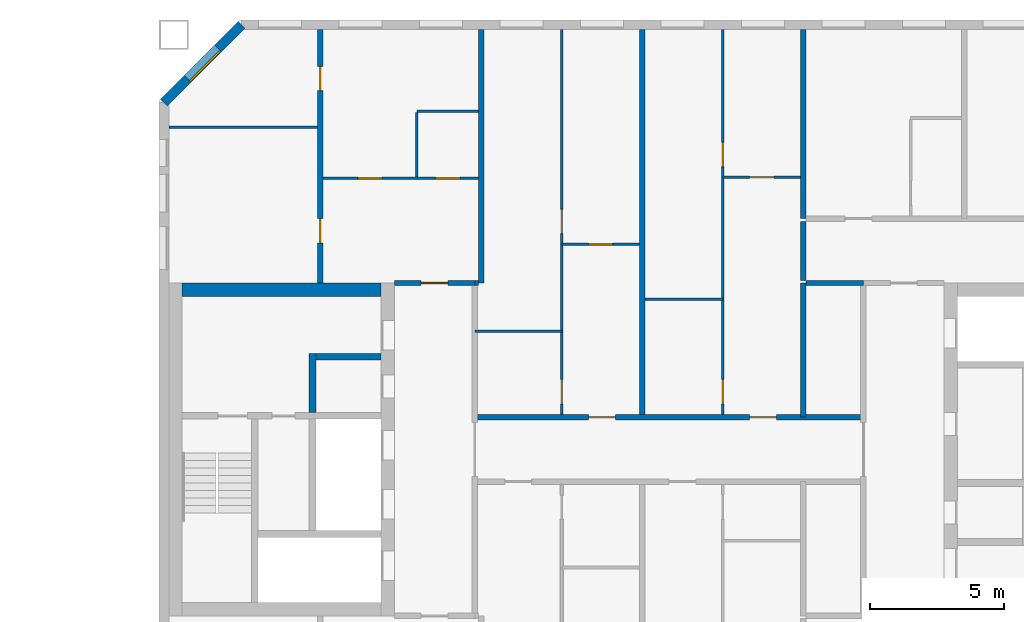
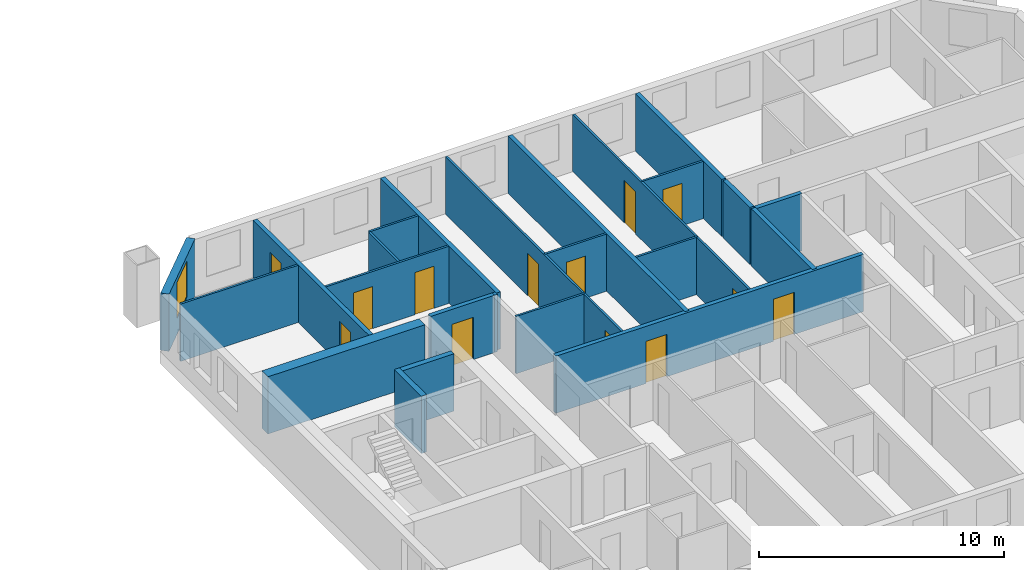
# One storey, part 10 of 15: 24 walls, 13 doors, 1 window, 14 openings.
"""IFC4 building model written with IfcOpenShell, lengths in metres."""

from ifc_helpers import new_model, si_unit, direction, frame, frame_2d, origin, place, context, subcontext, project, spatial, rectangle, extrude, material, layer, layer_set, type_object, element, fill, save


model = new_model("IFC4")

# Units and contexts
model_context = context("Model", 3, precision=1e-05, world=origin(), true_north=direction((0.0, 1.0)))
body_context = subcontext(model_context, "Body", "Model", "MODEL_VIEW")
ifc_project = project(units=[si_unit("LENGTHUNIT", "METRE"), si_unit("AREAUNIT", "SQUARE_METRE"), si_unit("VOLUMEUNIT", "CUBIC_METRE"), si_unit("PLANEANGLEUNIT", "RADIAN"), si_unit("MASSUNIT", "GRAM", prefix="KILO")], contexts=[model_context])

# Site, building, storey
site_placement = place(None, origin())
site = spatial("IfcSite", under=ifc_project, at=site_placement, CompositionType="ELEMENT")
building_placement = place(site_placement, origin())
building = spatial("IfcBuilding", under=site, at=building_placement, Name="Tuart Gate Housing", CompositionType="ELEMENT")
storey_placement = place(building_placement, frame((0.0, 0.0, 148.5)))
storey = spatial("IfcBuildingStorey", under=building, at=storey_placement, Name="L41", CompositionType="ELEMENT", Elevation=148.5)

# Wall, opening, window
ifc_material_1 = material(Name="Brick", Category="masonry")
ifc_layer_1 = layer(ifc_material_1, 0.360107421875)
ifc_layer_set_1 = layer_set([ifc_layer_1], Name="Brick pier and spandrel wall 360")
wall_type_1 = type_object("IfcWallType", Name="Brick pier and spandrel wall 360", PredefinedType="STANDARD", material=ifc_layer_set_1)
wall_1_placement = place(storey_placement, frame((134.07470703125, 85.820068359375, 0.0), z_axis=(0.0, 0.0, 1.0), x_axis=(-0.707106781187, -0.707106781187, 0.0)))
wall_1 = element("IfcWall", 1, at=wall_1_placement, inside=storey, type_object=wall_type_1, Name="External wall B-NW L41", PredefinedType="STANDARD", context=body_context, shape_type="SweptSolid", body=[
    extrude(rectangle(XDim=4.09375, YDim=0.360107421875, at=frame_2d((2.046875, 0.0))), origin(), (0.0, 0.0, 1.0), 2.85009765625),
])
opening_1_placement = place(wall_1_placement, frame((1.2470703125, 0.0, 0.800048828125)))
opening_1 = element("IfcOpeningElement", 2, at=opening_1_placement, cuts=wall_1, Name="Opening W1", PredefinedType="OPENING", context=body_context, shape_type="SweptSolid", body=[
    extrude(rectangle(XDim=1.60009765625, YDim=1.800048828125, at=frame_2d((0.800048828125, 0.89990234375))), frame((0.0, 0.18994140625, 0.0), z_axis=(0.0, -1.0, 0.0), x_axis=(1.0, 0.0, 0.0)), (0.0, 0.0, 1.0), 0.380126953125),
])
ifc_material_2 = material(Name="Aluminium frame with clear glass", Category="aluminium")
window_type = type_object("IfcWindowType", Name="Punched window 1600 x 1800", PartitioningType="SINGLE_PANEL", PredefinedType="WINDOW", material=ifc_material_2)
window_placement = place(opening_1_placement, origin())
window = element("IfcWindow", 3, at=window_placement, inside=storey, type_object=window_type, Name="Window W1", OverallHeight=1.800048828125, OverallWidth=1.60009765625, PartitioningType="SINGLE_PANEL", PredefinedType="WINDOW", context=body_context, shape_type="SweptSolid", body=[
    extrude(rectangle(XDim=1.60009765625, YDim=1.800048828125, at=frame_2d((0.800048828125, 0.89990234375))), frame((0.0, 0.150146484375, 0.0), z_axis=(0.0, -1.0, 0.0), x_axis=(1.0, 0.0, 0.0)), (0.0, 0.0, 1.0), 0.06005859375),
])
fill(opening_1, window)

# Walls
ifc_material_3 = material(Name="Concrete C40", Category="concrete")
ifc_layer_2 = layer(ifc_material_3, 0.25)
ifc_layer_set_2 = layer_set([ifc_layer_2], Name="Core wall 250 C40")
wall_type_2 = type_object("IfcWallType", Name="Core wall 250 C40", PredefinedType="SHEAR", material=ifc_layer_set_2)
wall_2_placement = place(storey_placement, frame((139.260009765625, 73.449951171875, 0.0), z_axis=(0.0, 0.0, 1.0), x_axis=(-1.0, 0.0, 0.0)))
element("IfcWall", 4, at=wall_2_placement, inside=storey, type_object=wall_type_2, Name="Core wall BG.3", PredefinedType="SHEAR", context=body_context, shape_type="SweptSolid", body=[
    extrude(rectangle(XDim=2.425048828125, YDim=0.25, at=frame_2d((1.21240234375, 0.0))), origin(), (0.0, 0.0, 1.0), 2.85009765625),
])
wall_3_placement = place(storey_placement, frame((136.7099609375, 71.375, 0.0), z_axis=(0.0, 0.0, 1.0), x_axis=(0.0, 1.0, 0.0)))
element("IfcWall", 5, at=wall_3_placement, inside=storey, type_object=wall_type_2, Name="Core wall BG.5", PredefinedType="SHEAR", context=body_context, shape_type="SweptSolid", body=[
    extrude(rectangle(XDim=2.199951171875, YDim=0.25, at=frame_2d((1.10009765625, 0.0))), origin(), (0.0, 0.0, 1.0), 2.85009765625),
])
ifc_material_4 = material(Name="Concrete C40", Category="concrete")
ifc_layer_3 = layer(ifc_material_4, 0.5)
ifc_layer_set_3 = layer_set([ifc_layer_3], Name="Core wall 500 C40")
wall_type_3 = type_object("IfcWallType", Name="Core wall 500 C40", PredefinedType="SHEAR", material=ifc_layer_set_3)
wall_4_placement = place(storey_placement, frame((139.260009765625, 75.949951171875, 0.0), z_axis=(0.0, 0.0, 1.0), x_axis=(-1.0, 0.0, 0.0)))
element("IfcWall", 6, at=wall_4_placement, inside=storey, type_object=wall_type_3, Name="Core wall BG north", PredefinedType="SHEAR", context=body_context, shape_type="SweptSolid", body=[
    extrude(rectangle(XDim=7.39990234375, YDim=0.5, at=frame_2d((3.699951171875, 0.0))), origin(), (0.0, 0.0, 1.0), 2.85009765625),
])

# Wall, openings, doors
ifc_material_5 = material(Name="Concrete masonry 15 MPa", Category="masonry")
ifc_layer_4 = layer(ifc_material_5, 0.199951171875)
ifc_layer_set_4 = layer_set([ifc_layer_4], Name="Corridor wall masonry 200")
wall_type_4 = type_object("IfcWallType", Name="Corridor wall masonry 200", PredefinedType="PARTITIONING", material=ifc_layer_set_4)
wall_5_placement = place(storey_placement, frame((142.760009765625, 71.199951171875, 0.0), z_axis=(0.0, 0.0, 1.0), x_axis=(1.0, 0.0, 0.0)))
wall_5 = element("IfcWall", 7, at=wall_5_placement, inside=storey, type_object=wall_type_4, Name="Corridor wall masonry 200", PredefinedType="PARTITIONING", context=body_context, shape_type="SweptSolid", body=[
    extrude(rectangle(XDim=14.47998046875, YDim=0.199951171875, at=frame_2d((7.239990234375, 0.0))), origin(), (0.0, 0.0, 1.0), 2.85009765625),
])
opening_2_placement = place(wall_5_placement, frame((4.239990234375, 0.0, 0.0)))
opening_2 = element("IfcOpeningElement", 8, at=opening_2_placement, cuts=wall_5, Name="Opening D1592", PredefinedType="OPENING", context=body_context, shape_type="SweptSolid", body=[
    extrude(rectangle(XDim=1.0, YDim=2.10009765625, at=frame_2d((0.5, 1.050048828125))), frame((0.0, 0.10986328125, 0.0), z_axis=(0.0, -1.0, 0.0), x_axis=(1.0, 0.0, 0.0)), (0.0, 0.0, 1.0), 0.219970703125),
])
opening_3_placement = place(wall_5_placement, frame((10.239990234375, 0.0, 0.0)))
opening_3 = element("IfcOpeningElement", 9, at=opening_3_placement, cuts=wall_5, Name="Opening D1593", PredefinedType="OPENING", context=body_context, shape_type="SweptSolid", body=[
    extrude(rectangle(XDim=1.0, YDim=2.10009765625, at=frame_2d((0.5, 1.050048828125))), frame((0.0, 0.10986328125, 0.0), z_axis=(0.0, -1.0, 0.0), x_axis=(1.0, 0.0, 0.0)), (0.0, 0.0, 1.0), 0.219970703125),
])
ifc_material_6 = material(Name="Timber door leaf in steel frame", Category="steel")
door_type_1 = type_object("IfcDoorType", Name="Flat entrance door 1000", OperationType="SINGLE_SWING_LEFT", PredefinedType="DOOR", material=ifc_material_6)
door_1_placement = place(opening_2_placement, origin())
door_1 = element("IfcDoor", 10, at=door_1_placement, inside=storey, type_object=door_type_1, Name="Flat entrance door", OperationType="SINGLE_SWING_LEFT", OverallHeight=2.10009765625, OverallWidth=1.0, PredefinedType="DOOR", context=body_context, shape_type="SweptSolid", body=[
    extrude(rectangle(XDim=1.0, YDim=2.10009765625, at=frame_2d((0.5, 1.050048828125))), frame((0.0, 0.02490234375, 0.0), z_axis=(0.0, -1.0, 0.0), x_axis=(1.0, 0.0, 0.0)), (0.0, 0.0, 1.0), 0.050048828125),
])
fill(opening_2, door_1)
door_2_placement = place(opening_3_placement, origin())
door_2 = element("IfcDoor", 11, at=door_2_placement, inside=storey, type_object=door_type_1, Name="Flat entrance door", OperationType="SINGLE_SWING_LEFT", OverallHeight=2.10009765625, OverallWidth=1.0, PredefinedType="DOOR", context=body_context, shape_type="SweptSolid", body=[
    extrude(rectangle(XDim=1.0, YDim=2.10009765625, at=frame_2d((0.5, 1.050048828125))), frame((0.0, 0.02490234375, 0.0), z_axis=(0.0, -1.0, 0.0), x_axis=(1.0, 0.0, 0.0)), (0.0, 0.0, 1.0), 0.050048828125),
])
fill(opening_3, door_2)

# Walls
wall_6_placement = place(storey_placement, frame((155.10009765625, 76.199951171875, 0.0), z_axis=(0.0, 0.0, 1.0), x_axis=(1.0, 0.0, 0.0)))
element("IfcWall", 12, at=wall_6_placement, inside=storey, type_object=wall_type_4, Name="Corridor wall masonry 200", PredefinedType="PARTITIONING", context=body_context, shape_type="SweptSolid", body=[
    extrude(rectangle(XDim=2.139892578125, YDim=0.199951171875, at=frame_2d((1.06982421875, 0.0))), origin(), (0.0, 0.0, 1.0), 2.85009765625),
])
wall_7_placement = place(storey_placement, frame((155.0, 76.300048828125, 0.0), z_axis=(0.0, 0.0, 1.0), x_axis=(0.0, 1.0, 0.0)))
element("IfcWall", 13, at=wall_7_placement, inside=storey, type_object=wall_type_4, Name="Corridor wall masonry 200", PredefinedType="PARTITIONING", context=body_context, shape_type="SweptSolid", body=[
    extrude(rectangle(XDim=2.199951171875, YDim=0.199951171875, at=frame_2d((1.10009765625, 0.0))), origin(), (0.0, 0.0, 1.0), 2.85009765625),
])

# Wall, opening, door
ifc_material_7 = material(Name="Concrete masonry 15 MPa", Category="masonry")
ifc_layer_5 = layer(ifc_material_7, 0.199951171875)
ifc_layer_set_5 = layer_set([ifc_layer_5], Name="Enclosure wall masonry 200")
wall_type_5 = type_object("IfcWallType", Name="Enclosure wall masonry 200", PredefinedType="PARTITIONING", material=ifc_layer_set_5)
wall_8_placement = place(storey_placement, frame((139.760009765625, 76.199951171875, 0.0), z_axis=(0.0, 0.0, 1.0), x_axis=(1.0, 0.0, 0.0)))
wall_8 = element("IfcWall", 14, at=wall_8_placement, inside=storey, type_object=wall_type_5, Name="Enclosure wall masonry 200", PredefinedType="PARTITIONING", context=body_context, shape_type="SweptSolid", body=[
    extrude(rectangle(XDim=3.0, YDim=0.199951171875, at=frame_2d((1.5, 0.0))), origin(), (0.0, 0.0, 1.0), 2.85009765625),
])
opening_4_placement = place(wall_8_placement, frame((1.0, 0.0, 0.0)))
opening_4 = element("IfcOpeningElement", 15, at=opening_4_placement, cuts=wall_8, Name="Opening D1588", PredefinedType="OPENING", context=body_context, shape_type="SweptSolid", body=[
    extrude(rectangle(XDim=1.0, YDim=2.10009765625, at=frame_2d((0.5, 1.050048828125))), frame((0.0, 0.10986328125, 0.0), z_axis=(0.0, -1.0, 0.0), x_axis=(1.0, 0.0, 0.0)), (0.0, 0.0, 1.0), 0.219970703125),
])
ifc_material_8 = material(Name="Timber door leaf in steel frame", Category="steel")
door_type_2 = type_object("IfcDoorType", Name="Flat entrance door 1000 RH", OperationType="SINGLE_SWING_RIGHT", PredefinedType="DOOR", material=ifc_material_8)
door_3_placement = place(opening_4_placement, origin())
door_3 = element("IfcDoor", 16, at=door_3_placement, inside=storey, type_object=door_type_2, Name="Flat entrance door", OperationType="SINGLE_SWING_RIGHT", OverallHeight=2.10009765625, OverallWidth=1.0, PredefinedType="DOOR", context=body_context, shape_type="SweptSolid", body=[
    extrude(rectangle(XDim=1.0, YDim=2.10009765625, at=frame_2d((0.5, 1.050048828125))), frame((0.0, 0.02490234375, 0.0), z_axis=(0.0, -1.0, 0.0), x_axis=(1.0, 0.0, 0.0)), (0.0, 0.0, 1.0), 0.050048828125),
])
fill(opening_4, door_3)

# Walls
ifc_material_9 = material(Name="Gypsum board on steel studs", Category="steel")
ifc_layer_6 = layer(ifc_material_9, 0.10009765625)
ifc_layer_set_6 = layer_set([ifc_layer_6], Name="Partition 100")
wall_type_6 = type_object("IfcWallType", Name="Partition 100", PredefinedType="PARTITIONING", material=ifc_layer_set_6)
wall_9_placement = place(storey_placement, frame((142.760009765625, 74.39990234375, 0.0), z_axis=(0.0, 0.0, 1.0), x_axis=(1.0, 0.0, 0.0)))
element("IfcWall", 17, at=wall_9_placement, inside=storey, type_object=wall_type_6, Name="Partition 100", PredefinedType="PARTITIONING", context=body_context, shape_type="SweptSolid", body=[
    extrude(rectangle(XDim=3.239990234375, YDim=0.10009765625, at=frame_2d((1.6201171875, 0.0))), origin(), (0.0, 0.0, 1.0), 2.85009765625),
])
wall_10_placement = place(storey_placement, frame((149.10009765625, 75.60009765625, 0.0), z_axis=(0.0, 0.0, 1.0), x_axis=(1.0, 0.0, 0.0)))
element("IfcWall", 18, at=wall_10_placement, inside=storey, type_object=wall_type_6, Name="Partition 100", PredefinedType="PARTITIONING", context=body_context, shape_type="SweptSolid", body=[
    extrude(rectangle(XDim=2.89990234375, YDim=0.10009765625, at=frame_2d((1.449951171875, 0.0))), origin(), (0.0, 0.0, 1.0), 2.85009765625),
])

# Wall, opening, door
wall_11_placement = place(storey_placement, frame((146.0, 77.639892578125, 0.0), z_axis=(0.0, 0.0, 1.0), x_axis=(1.0, 0.0, 0.0)))
wall_11 = element("IfcWall", 19, at=wall_11_placement, inside=storey, type_object=wall_type_6, Name="Partition 100", PredefinedType="PARTITIONING", context=body_context, shape_type="SweptSolid", body=[
    extrude(rectangle(XDim=2.89990234375, YDim=0.10009765625, at=frame_2d((1.449951171875, 0.0))), origin(), (0.0, 0.0, 1.0), 2.85009765625),
])
opening_5_placement = place(wall_11_placement, frame((1.0, 0.0, 0.0)))
opening_5 = element("IfcOpeningElement", 20, at=opening_5_placement, cuts=wall_11, Name="Opening D1587", PredefinedType="OPENING", context=body_context, shape_type="SweptSolid", body=[
    extrude(rectangle(XDim=0.89990234375, YDim=2.10009765625, at=frame_2d((0.449951171875, 1.050048828125))), frame((0.0, 0.06005859375, 0.0), z_axis=(0.0, -1.0, 0.0), x_axis=(1.0, 0.0, 0.0)), (0.0, 0.0, 1.0), 0.1201171875),
])
ifc_material_10 = material(Name="Timber door leaf in steel frame", Category="steel")
door_type_3 = type_object("IfcDoorType", Name="Internal door 900 RH", OperationType="SINGLE_SWING_RIGHT", PredefinedType="DOOR", material=ifc_material_10)
door_4_placement = place(opening_5_placement, frame((0.89990234375, 0.0, 0.0), z_axis=(0.0, 0.0, 1.0), x_axis=(-1.0, 0.0, 0.0)))
door_4 = element("IfcDoor", 21, at=door_4_placement, inside=storey, type_object=door_type_3, Name="Internal door", OperationType="SINGLE_SWING_RIGHT", OverallHeight=2.10009765625, OverallWidth=0.89990234375, PredefinedType="DOOR", context=body_context, shape_type="SweptSolid", body=[
    extrude(rectangle(XDim=0.89990234375, YDim=2.10009765625, at=frame_2d((0.449951171875, 1.050048828125))), frame((0.0, 0.025146484375, 0.0), z_axis=(0.0, -1.0, 0.0), x_axis=(1.0, 0.0, 0.0)), (0.0, 0.0, 1.0), 0.050048828125),
])
fill(opening_5, door_4)

# Wall, openings, doors
wall_12_placement = place(storey_placement, frame((137.10009765625, 80.10009765625, 0.0), z_axis=(0.0, 0.0, 1.0), x_axis=(1.0, 0.0, 0.0)))
wall_12 = element("IfcWall", 22, at=wall_12_placement, inside=storey, type_object=wall_type_6, Name="Partition 100", PredefinedType="PARTITIONING", context=body_context, shape_type="SweptSolid", body=[
    extrude(rectangle(XDim=5.7998046875, YDim=0.10009765625, at=frame_2d((2.89990234375, 0.0))), origin(), (0.0, 0.0, 1.0), 2.85009765625),
])
opening_6_placement = place(wall_12_placement, frame((1.300048828125, 0.0, 0.0)))
opening_6 = element("IfcOpeningElement", 23, at=opening_6_placement, cuts=wall_12, Name="Opening D1580", PredefinedType="OPENING", context=body_context, shape_type="SweptSolid", body=[
    extrude(rectangle(XDim=0.89990234375, YDim=2.10009765625, at=frame_2d((0.449951171875, 1.050048828125))), frame((0.0, 0.06005859375, 0.0), z_axis=(0.0, -1.0, 0.0), x_axis=(1.0, 0.0, 0.0)), (0.0, 0.0, 1.0), 0.1201171875),
])
opening_7_placement = place(wall_12_placement, frame((4.199951171875, 0.0, 0.0)))
opening_7 = element("IfcOpeningElement", 24, at=opening_7_placement, cuts=wall_12, Name="Opening D1579", PredefinedType="OPENING", context=body_context, shape_type="SweptSolid", body=[
    extrude(rectangle(XDim=0.89990234375, YDim=2.10009765625, at=frame_2d((0.449951171875, 1.050048828125))), frame((0.0, 0.06005859375, 0.0), z_axis=(0.0, -1.0, 0.0), x_axis=(1.0, 0.0, 0.0)), (0.0, 0.0, 1.0), 0.1201171875),
])
ifc_material_11 = material(Name="Timber door leaf in steel frame", Category="steel")
door_type_4 = type_object("IfcDoorType", Name="Bathroom door 900", OperationType="SINGLE_SWING_LEFT", PredefinedType="DOOR", material=ifc_material_11)
door_5_placement = place(opening_7_placement, origin())
door_5 = element("IfcDoor", 25, at=door_5_placement, inside=storey, type_object=door_type_4, Name="Bathroom door", OperationType="SINGLE_SWING_LEFT", OverallHeight=2.10009765625, OverallWidth=0.89990234375, PredefinedType="DOOR", context=body_context, shape_type="SweptSolid", body=[
    extrude(rectangle(XDim=0.89990234375, YDim=2.10009765625, at=frame_2d((0.449951171875, 1.050048828125))), frame((0.0, 0.02490234375, 0.0), z_axis=(0.0, -1.0, 0.0), x_axis=(1.0, 0.0, 0.0)), (0.0, 0.0, 1.0), 0.050048828125),
])
fill(opening_7, door_5)
door_6_placement = place(opening_6_placement, frame((0.89990234375, 0.0, 0.0), z_axis=(0.0, 0.0, 1.0), x_axis=(-1.0, 0.0, 0.0)))
door_6 = element("IfcDoor", 26, at=door_6_placement, inside=storey, type_object=door_type_3, Name="Internal door", OperationType="SINGLE_SWING_RIGHT", OverallHeight=2.10009765625, OverallWidth=0.89990234375, PredefinedType="DOOR", context=body_context, shape_type="SweptSolid", body=[
    extrude(rectangle(XDim=0.89990234375, YDim=2.10009765625, at=frame_2d((0.449951171875, 1.050048828125))), frame((0.0, 0.025146484375, 0.0), z_axis=(0.0, -1.0, 0.0), x_axis=(1.0, 0.0, 0.0)), (0.0, 0.0, 1.0), 0.050048828125),
])
fill(opening_6, door_6)

# Wall, opening, door
wall_13_placement = place(storey_placement, frame((152.0, 80.139892578125, 0.0), z_axis=(0.0, 0.0, 1.0), x_axis=(1.0, 0.0, 0.0)))
wall_13 = element("IfcWall", 27, at=wall_13_placement, inside=storey, type_object=wall_type_6, Name="Partition 100", PredefinedType="PARTITIONING", context=body_context, shape_type="SweptSolid", body=[
    extrude(rectangle(XDim=2.89990234375, YDim=0.10009765625, at=frame_2d((1.449951171875, 0.0))), origin(), (0.0, 0.0, 1.0), 2.85009765625),
])
opening_8_placement = place(wall_13_placement, frame((1.0, 0.0, 0.0)))
opening_8 = element("IfcOpeningElement", 28, at=opening_8_placement, cuts=wall_13, Name="Opening D1578", PredefinedType="OPENING", context=body_context, shape_type="SweptSolid", body=[
    extrude(rectangle(XDim=0.89990234375, YDim=2.10009765625, at=frame_2d((0.449951171875, 1.050048828125))), frame((0.0, 0.06005859375, 0.0), z_axis=(0.0, -1.0, 0.0), x_axis=(1.0, 0.0, 0.0)), (0.0, 0.0, 1.0), 0.1201171875),
])
door_7_placement = place(opening_8_placement, frame((0.89990234375, 0.0, 0.0), z_axis=(0.0, 0.0, 1.0), x_axis=(-1.0, 0.0, 0.0)))
door_7 = element("IfcDoor", 29, at=door_7_placement, inside=storey, type_object=door_type_3, Name="Internal door", OperationType="SINGLE_SWING_RIGHT", OverallHeight=2.10009765625, OverallWidth=0.89990234375, PredefinedType="DOOR", context=body_context, shape_type="SweptSolid", body=[
    extrude(rectangle(XDim=0.89990234375, YDim=2.10009765625, at=frame_2d((0.449951171875, 1.050048828125))), frame((0.0, 0.025146484375, 0.0), z_axis=(0.0, -1.0, 0.0), x_axis=(1.0, 0.0, 0.0)), (0.0, 0.0, 1.0), 0.050048828125),
])
fill(opening_8, door_7)

# Walls
wall_14_placement = place(storey_placement, frame((131.360107421875, 82.0, 0.0), z_axis=(0.0, 0.0, 1.0), x_axis=(1.0, 0.0, 0.0)))
element("IfcWall", 30, at=wall_14_placement, inside=storey, type_object=wall_type_6, Name="Partition 100", PredefinedType="PARTITIONING", context=body_context, shape_type="SweptSolid", body=[
    extrude(rectangle(XDim=5.539794921875, YDim=0.10009765625, at=frame_2d((2.77001953125, 0.0))), origin(), (0.0, 0.0, 1.0), 2.85009765625),
])
wall_15_placement = place(storey_placement, frame((140.60009765625, 82.60009765625, 0.0), z_axis=(0.0, 0.0, 1.0), x_axis=(1.0, 0.0, 0.0)))
element("IfcWall", 31, at=wall_15_placement, inside=storey, type_object=wall_type_6, Name="Partition 100", PredefinedType="PARTITIONING", context=body_context, shape_type="SweptSolid", body=[
    extrude(rectangle(XDim=2.2998046875, YDim=0.10009765625, at=frame_2d((1.14990234375, 0.0))), origin(), (0.0, 0.0, 1.0), 2.85009765625),
])
wall_16_placement = place(storey_placement, frame((140.60009765625, 80.14990234375, 0.0), z_axis=(0.0, 0.0, 1.0), x_axis=(0.0, 1.0, 0.0)))
element("IfcWall", 32, at=wall_16_placement, inside=storey, type_object=wall_type_6, Name="Partition 100", PredefinedType="PARTITIONING", context=body_context, shape_type="SweptSolid", body=[
    extrude(rectangle(XDim=2.400146484375, YDim=0.10009765625, at=frame_2d((1.2001953125, 0.0))), origin(), (0.0, 0.0, 1.0), 2.85009765625),
])

# Wall, openings, doors
wall_17_placement = place(storey_placement, frame((146.0, 71.300048828125, 0.0), z_axis=(0.0, 0.0, 1.0), x_axis=(0.0, 1.0, 0.0)))
wall_17 = element("IfcWall", 33, at=wall_17_placement, inside=storey, type_object=wall_type_6, Name="Partition 100", PredefinedType="PARTITIONING", context=body_context, shape_type="SweptSolid", body=[
    extrude(rectangle(XDim=14.33984375, YDim=0.10009765625, at=frame_2d((7.169921875, 0.0))), origin(), (0.0, 0.0, 1.0), 2.85009765625),
])
opening_9_placement = place(wall_17_placement, frame((6.739990234375, 0.0, 0.0)))
opening_9 = element("IfcOpeningElement", 34, at=opening_9_placement, cuts=wall_17, Name="Opening D1584", PredefinedType="OPENING", context=body_context, shape_type="SweptSolid", body=[
    extrude(rectangle(XDim=0.89990234375, YDim=2.10009765625, at=frame_2d((0.449951171875, 1.050048828125))), frame((0.0, 0.06005859375, 0.0), z_axis=(0.0, -1.0, 0.0), x_axis=(1.0, 0.0, 0.0)), (0.0, 0.0, 1.0), 0.1201171875),
])
opening_10_placement = place(wall_17_placement, frame((0.39990234375, 0.0, 0.0)))
opening_10 = element("IfcOpeningElement", 35, at=opening_10_placement, cuts=wall_17, Name="Opening D1583", PredefinedType="OPENING", context=body_context, shape_type="SweptSolid", body=[
    extrude(rectangle(XDim=0.89990234375, YDim=2.10009765625, at=frame_2d((0.449951171875, 1.050048828125))), frame((0.0, 0.06005859375, 0.0), z_axis=(0.0, -1.0, 0.0), x_axis=(1.0, 0.0, 0.0)), (0.0, 0.0, 1.0), 0.1201171875),
])
door_8_placement = place(opening_10_placement, origin())
door_8 = element("IfcDoor", 36, at=door_8_placement, inside=storey, type_object=door_type_4, Name="Bathroom door", OperationType="SINGLE_SWING_LEFT", OverallHeight=2.10009765625, OverallWidth=0.89990234375, PredefinedType="DOOR", context=body_context, shape_type="SweptSolid", body=[
    extrude(rectangle(XDim=0.89990234375, YDim=2.10009765625, at=frame_2d((0.449951171875, 1.050048828125))), frame((0.0, 0.02490234375, 0.0), z_axis=(0.0, -1.0, 0.0), x_axis=(1.0, 0.0, 0.0)), (0.0, 0.0, 1.0), 0.050048828125),
])
fill(opening_10, door_8)
ifc_material_12 = material(Name="Timber door leaf in steel frame", Category="steel")
door_type_5 = type_object("IfcDoorType", Name="Internal door 900", OperationType="SINGLE_SWING_LEFT", PredefinedType="DOOR", material=ifc_material_12)
door_9_placement = place(opening_9_placement, origin())
door_9 = element("IfcDoor", 37, at=door_9_placement, inside=storey, type_object=door_type_5, Name="Internal door", OperationType="SINGLE_SWING_LEFT", OverallHeight=2.10009765625, OverallWidth=0.89990234375, PredefinedType="DOOR", context=body_context, shape_type="SweptSolid", body=[
    extrude(rectangle(XDim=0.89990234375, YDim=2.10009765625, at=frame_2d((0.449951171875, 1.050048828125))), frame((0.0, 0.02490234375, 0.0), z_axis=(0.0, -1.0, 0.0), x_axis=(1.0, 0.0, 0.0)), (0.0, 0.0, 1.0), 0.050048828125),
])
fill(opening_9, door_9)

wall_18_placement = place(storey_placement, frame((152.0, 71.300048828125, 0.0), z_axis=(0.0, 0.0, 1.0), x_axis=(0.0, 1.0, 0.0)))
wall_18 = element("IfcWall", 38, at=wall_18_placement, inside=storey, type_object=wall_type_6, Name="Partition 100", PredefinedType="PARTITIONING", context=body_context, shape_type="SweptSolid", body=[
    extrude(rectangle(XDim=14.33984375, YDim=0.10009765625, at=frame_2d((7.169921875, 0.0))), origin(), (0.0, 0.0, 1.0), 2.85009765625),
])
opening_11_placement = place(wall_18_placement, frame((9.239990234375, 0.0, 0.0)))
opening_11 = element("IfcOpeningElement", 39, at=opening_11_placement, cuts=wall_18, Name="Opening D1586", PredefinedType="OPENING", context=body_context, shape_type="SweptSolid", body=[
    extrude(rectangle(XDim=0.89990234375, YDim=2.10009765625, at=frame_2d((0.449951171875, 1.050048828125))), frame((0.0, 0.06005859375, 0.0), z_axis=(0.0, -1.0, 0.0), x_axis=(1.0, 0.0, 0.0)), (0.0, 0.0, 1.0), 0.1201171875),
])
opening_12_placement = place(wall_18_placement, frame((0.39990234375, 0.0, 0.0)))
opening_12 = element("IfcOpeningElement", 40, at=opening_12_placement, cuts=wall_18, Name="Opening D1585", PredefinedType="OPENING", context=body_context, shape_type="SweptSolid", body=[
    extrude(rectangle(XDim=0.89990234375, YDim=2.10009765625, at=frame_2d((0.449951171875, 1.050048828125))), frame((0.0, 0.06005859375, 0.0), z_axis=(0.0, -1.0, 0.0), x_axis=(1.0, 0.0, 0.0)), (0.0, 0.0, 1.0), 0.1201171875),
])
door_10_placement = place(opening_12_placement, origin())
door_10 = element("IfcDoor", 41, at=door_10_placement, inside=storey, type_object=door_type_4, Name="Bathroom door", OperationType="SINGLE_SWING_LEFT", OverallHeight=2.10009765625, OverallWidth=0.89990234375, PredefinedType="DOOR", context=body_context, shape_type="SweptSolid", body=[
    extrude(rectangle(XDim=0.89990234375, YDim=2.10009765625, at=frame_2d((0.449951171875, 1.050048828125))), frame((0.0, 0.02490234375, 0.0), z_axis=(0.0, -1.0, 0.0), x_axis=(1.0, 0.0, 0.0)), (0.0, 0.0, 1.0), 0.050048828125),
])
fill(opening_12, door_10)
door_11_placement = place(opening_11_placement, origin())
door_11 = element("IfcDoor", 42, at=door_11_placement, inside=storey, type_object=door_type_3, Name="Internal door", OperationType="SINGLE_SWING_RIGHT", OverallHeight=2.10009765625, OverallWidth=0.89990234375, PredefinedType="DOOR", context=body_context, shape_type="SweptSolid", body=[
    extrude(rectangle(XDim=0.89990234375, YDim=2.10009765625, at=frame_2d((0.449951171875, 1.050048828125))), frame((0.0, 0.02490234375, 0.0), z_axis=(0.0, -1.0, 0.0), x_axis=(1.0, 0.0, 0.0)), (0.0, 0.0, 1.0), 0.050048828125),
])
fill(opening_11, door_11)

ifc_material_13 = material(Name="Concrete C40", Category="concrete")
ifc_layer_7 = layer(ifc_material_13, 0.199951171875)
ifc_layer_set_7 = layer_set([ifc_layer_7], Name="Party wall concrete C40 200")
wall_type_7 = type_object("IfcWallType", Name="Party wall concrete C40 200", PredefinedType="SOLIDWALL", material=ifc_layer_set_7)
wall_19_placement = place(storey_placement, frame((137.0, 76.199951171875, 0.0), z_axis=(0.0, 0.0, 1.0), x_axis=(0.0, 1.0, 0.0)))
wall_19 = element("IfcWall", 43, at=wall_19_placement, inside=storey, type_object=wall_type_7, Name="Party wall concrete C40 200", PredefinedType="SOLIDWALL", context=body_context, shape_type="SweptSolid", body=[
    extrude(rectangle(XDim=9.43994140625, YDim=0.199951171875, at=frame_2d((4.719970703125, 0.0))), origin(), (0.0, 0.0, 1.0), 2.85009765625),
])
opening_13_placement = place(wall_19_placement, frame((7.169921875, 0.0, 0.0)))
opening_13 = element("IfcOpeningElement", 44, at=opening_13_placement, cuts=wall_19, Name="Opening D1575", PredefinedType="OPENING", context=body_context, shape_type="SweptSolid", body=[
    extrude(rectangle(XDim=0.89990234375, YDim=2.10009765625, at=frame_2d((0.449951171875, 1.050048828125))), frame((0.0, 0.10986328125, 0.0), z_axis=(0.0, -1.0, 0.0), x_axis=(1.0, 0.0, 0.0)), (0.0, 0.0, 1.0), 0.219970703125),
])
opening_14_placement = place(wall_19_placement, frame((1.5, 0.0, 0.0)))
opening_14 = element("IfcOpeningElement", 45, at=opening_14_placement, cuts=wall_19, Name="Opening D1576", PredefinedType="OPENING", context=body_context, shape_type="SweptSolid", body=[
    extrude(rectangle(XDim=0.89990234375, YDim=2.10009765625, at=frame_2d((0.449951171875, 1.050048828125))), frame((0.0, 0.10986328125, 0.0), z_axis=(0.0, -1.0, 0.0), x_axis=(1.0, 0.0, 0.0)), (0.0, 0.0, 1.0), 0.219970703125),
])
door_12_placement = place(opening_13_placement, origin())
door_12 = element("IfcDoor", 46, at=door_12_placement, inside=storey, type_object=door_type_5, Name="Internal door", OperationType="SINGLE_SWING_LEFT", OverallHeight=2.10009765625, OverallWidth=0.89990234375, PredefinedType="DOOR", context=body_context, shape_type="SweptSolid", body=[
    extrude(rectangle(XDim=0.89990234375, YDim=2.10009765625, at=frame_2d((0.449951171875, 1.050048828125))), frame((0.0, 0.02490234375, 0.0), z_axis=(0.0, -1.0, 0.0), x_axis=(1.0, 0.0, 0.0)), (0.0, 0.0, 1.0), 0.050048828125),
])
fill(opening_13, door_12)
door_13_placement = place(opening_14_placement, origin())
door_13 = element("IfcDoor", 47, at=door_13_placement, inside=storey, type_object=door_type_5, Name="Internal door", OperationType="SINGLE_SWING_LEFT", OverallHeight=2.10009765625, OverallWidth=0.89990234375, PredefinedType="DOOR", context=body_context, shape_type="SweptSolid", body=[
    extrude(rectangle(XDim=0.89990234375, YDim=2.10009765625, at=frame_2d((0.449951171875, 1.050048828125))), frame((0.0, 0.02490234375, 0.0), z_axis=(0.0, -1.0, 0.0), x_axis=(1.0, 0.0, 0.0)), (0.0, 0.0, 1.0), 0.050048828125),
])
fill(opening_14, door_13)

# Walls
wall_20_placement = place(storey_placement, frame((143.0, 76.199951171875, 0.0), z_axis=(0.0, 0.0, 1.0), x_axis=(0.0, 1.0, 0.0)))
element("IfcWall", 48, at=wall_20_placement, inside=storey, type_object=wall_type_7, Name="Party wall concrete C40 200", PredefinedType="SOLIDWALL", context=body_context, shape_type="SweptSolid", body=[
    extrude(rectangle(XDim=9.43994140625, YDim=0.199951171875, at=frame_2d((4.719970703125, 0.0))), origin(), (0.0, 0.0, 1.0), 2.85009765625),
])
wall_21_placement = place(storey_placement, frame((149.0, 71.199951171875, 0.0), z_axis=(0.0, 0.0, 1.0), x_axis=(0.0, 1.0, 0.0)))
element("IfcWall", 49, at=wall_21_placement, inside=storey, type_object=wall_type_7, Name="Party wall concrete C40 200", PredefinedType="SOLIDWALL", context=body_context, shape_type="SweptSolid", body=[
    extrude(rectangle(XDim=14.43994140625, YDim=0.199951171875, at=frame_2d((7.219970703125, 0.0))), origin(), (0.0, 0.0, 1.0), 2.85009765625),
])
wall_22_placement = place(storey_placement, frame((155.0, 71.199951171875, 0.0), z_axis=(0.0, 0.0, 1.0), x_axis=(0.0, 1.0, 0.0)))
element("IfcWall", 50, at=wall_22_placement, inside=storey, type_object=wall_type_7, Name="Party wall concrete C40 200", PredefinedType="SOLIDWALL", context=body_context, shape_type="SweptSolid", body=[
    extrude(rectangle(XDim=5.0, YDim=0.199951171875, at=frame_2d((2.5, 0.0))), origin(), (0.0, 0.0, 1.0), 2.85009765625),
])
wall_23_placement = place(storey_placement, frame((155.0, 78.60009765625, 0.0), z_axis=(0.0, 0.0, 1.0), x_axis=(0.0, 1.0, 0.0)))
element("IfcWall", 51, at=wall_23_placement, inside=storey, type_object=wall_type_7, Name="Party wall concrete C40 200", PredefinedType="SOLIDWALL", context=body_context, shape_type="SweptSolid", body=[
    extrude(rectangle(XDim=7.039794921875, YDim=0.199951171875, at=frame_2d((3.52001953125, 0.0))), origin(), (0.0, 0.0, 1.0), 2.85009765625),
])
ifc_material_14 = material(Name="Concrete masonry 15 MPa", Category="masonry")
ifc_layer_8 = layer(ifc_material_14, 0.199951171875)
ifc_layer_set_8 = layer_set([ifc_layer_8], Name="Party wall masonry 200")
wall_type_8 = type_object("IfcWallType", Name="Party wall masonry 200", PredefinedType="PARTITIONING", material=ifc_layer_set_8)
wall_24_placement = place(storey_placement, frame((142.760009765625, 76.199951171875, 0.0), z_axis=(0.0, 0.0, 1.0), x_axis=(1.0, 0.0, 0.0)))
element("IfcWall", 52, at=wall_24_placement, inside=storey, type_object=wall_type_8, Name="Party wall masonry 200", PredefinedType="PARTITIONING", context=body_context, shape_type="SweptSolid", body=[
    extrude(rectangle(XDim=0.139892578125, YDim=0.199951171875, at=frame_2d((0.06982421875, 0.0))), origin(), (0.0, 0.0, 1.0), 2.85009765625),
])

save(model, "model.ifc")
